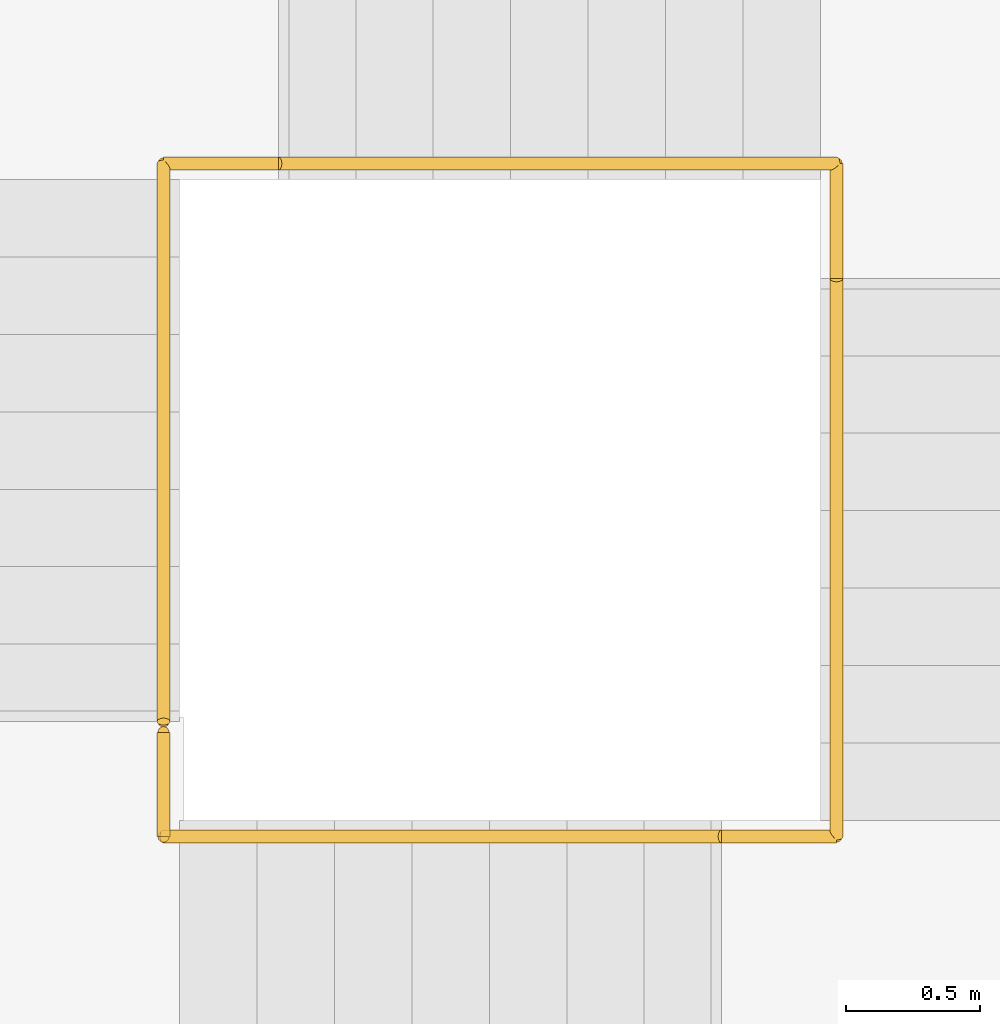
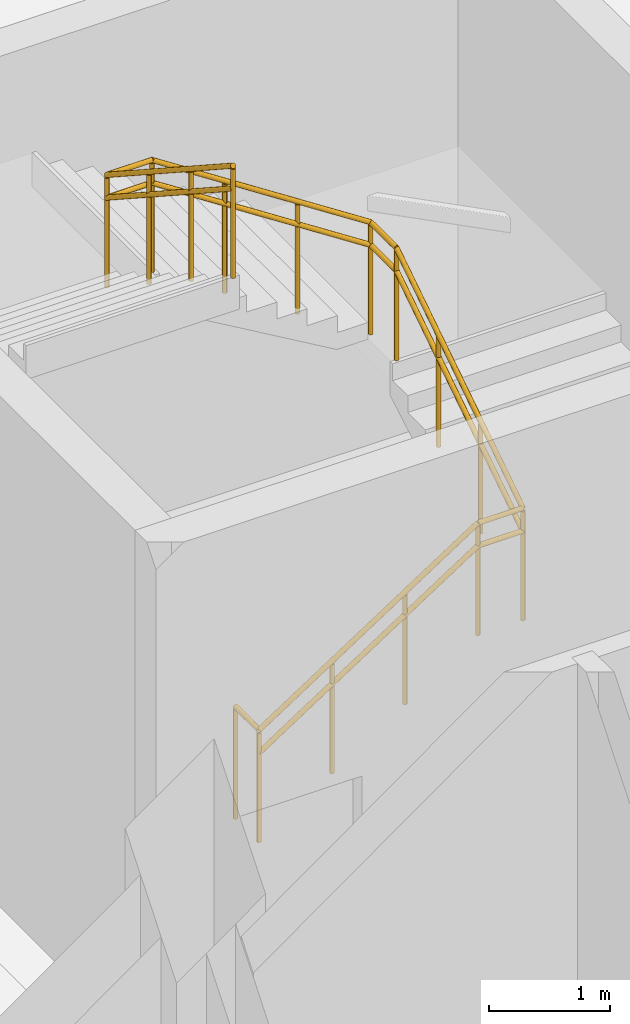
# One storey, part 71 of 72: 3 railings.
"""IFC4 building model written with IfcOpenShell, lengths in metres."""

import ifcopenshell
import ifcopenshell.guid

model = None  # the IFC model being written
_history = None  # IfcOwnerHistory: only IFC2X3 demands one
_inside = {}  # id of a spatial element -> (the spatial element, [elements in it])
_under = {}  # id of a project, library or spatial element -> (it, [spatial elements below it])
_declared = {}  # id of a project -> (the project, [libraries it declares])
_typed = {}  # id of a type object -> (the type object, [elements of that type])
_made_of = {}  # id of a material, layer set ... -> (it, [elements and type objects made of it])


def new_model(schema):
    """Start an empty IFC model of exactly this schema.

    Asked for "IFC4X3", IfcOpenShell would pick the latest addendum, in which some entities
    have other attributes; the version numbers below select the first issue.
    IFC2X3 requires an IfcOwnerHistory on every rooted entity: one is made here for all.
    """
    global model, _history
    if schema == "IFC4X3":
        model = ifcopenshell.file(schema_version=(4, 3, 0, 0))
    else:
        model = ifcopenshell.file(schema=schema)
    _inside.clear()
    _under.clear()
    _declared.clear()
    _typed.clear()
    _made_of.clear()
    _history = None
    if model.schema == "IFC2X3":
        org = make("IfcOrganization", Name="unknown")
        user = make(
            "IfcPersonAndOrganization",
            ThePerson=make("IfcPerson", FamilyName="unknown"),
            TheOrganization=org,
        )
        app = make(
            "IfcApplication",
            ApplicationDeveloper=org,
            Version="unknown",
            ApplicationFullName="unknown",
            ApplicationIdentifier="unknown",
        )
        _history = make(
            "IfcOwnerHistory",
            OwningUser=user,
            OwningApplication=app,
            ChangeAction="ADDED",
            CreationDate=0,
        )
    return model


def make(cls, **values):
    """One entity of the class cls with the attributes given. An attribute that is None is left unset."""
    return model.create_entity(
        cls, **{name: value for name, value in values.items() if value is not None}
    )


def rooted(cls, **values):
    """An entity with a GlobalId (a new one), such as an element, a storey or a relation."""
    return make(cls, GlobalId=ifcopenshell.guid.new(), OwnerHistory=_history, **values)


def si_unit(unit_type, name, prefix=None):
    """IfcSIUnit, for example si_unit("LENGTHUNIT", "METRE", prefix="MILLI")."""
    return make("IfcSIUnit", UnitType=unit_type, Prefix=prefix, Name=name)


def assignment(units):
    """IfcUnitAssignment: the units of a project."""
    return None if units is None else make("IfcUnitAssignment", Units=units)


def point(xyz):
    """IfcCartesianPoint."""
    return None if xyz is None else make("IfcCartesianPoint", Coordinates=xyz)


def direction(xyz):
    """IfcDirection."""
    return None if xyz is None else make("IfcDirection", DirectionRatios=xyz)


def frame(location, z_axis=None, x_axis=None):
    """IfcAxis2Placement3D, a coordinate frame: its origin and axes. An axis left out is left unset."""
    return make(
        "IfcAxis2Placement3D",
        Location=point(location),
        Axis=direction(z_axis),
        RefDirection=direction(x_axis),
    )


def frame_2d(location, x_axis=None):
    """IfcAxis2Placement2D, a coordinate frame in the plane: its origin and x axis."""
    return make(
        "IfcAxis2Placement2D", Location=point(location), RefDirection=direction(x_axis)
    )


def origin():
    """The frame at (0, 0, 0) with its axes left unset."""
    return frame((0.0, 0.0, 0.0))


def origin_2d():
    """The frame at (0, 0) in the plane with its x axis left unset."""
    return frame_2d((0.0, 0.0))


def place(relative_to, where):
    """IfcLocalPlacement: puts the frame where relative to a parent placement (None: the world)."""
    return make(
        "IfcLocalPlacement", PlacementRelTo=relative_to, RelativePlacement=where
    )


def context(
    kind, dimensions, precision=None, world=None, true_north=None, identifier=None
):
    """IfcGeometricRepresentationContext, for example the 3D "Model" context."""
    return make(
        "IfcGeometricRepresentationContext",
        ContextIdentifier=identifier,
        ContextType=kind,
        CoordinateSpaceDimension=dimensions,
        Precision=precision,
        WorldCoordinateSystem=world,
        TrueNorth=true_north,
    )


def subcontext(parent, identifier, kind, view, scale=None):
    """IfcGeometricRepresentationSubContext, for example "Body" below "Model"."""
    return make(
        "IfcGeometricRepresentationSubContext",
        ContextIdentifier=identifier,
        ContextType=kind,
        ParentContext=parent,
        TargetScale=scale,
        TargetView=view,
    )


def project(units=None, contexts=None):
    """IfcProject with its units and contexts."""
    return rooted(
        "IfcProject",
        Name="project",
        RepresentationContexts=contexts,
        UnitsInContext=assignment(units),
    )


def spatial(cls, under=None, at=None, **own):
    """A site, building, storey or space (cls), placed at a placement, below another one or the project."""
    s = rooted(cls, ObjectPlacement=at, **own)
    if under is not None:
        _under.setdefault(under.id(), (under, []))[1].append(s)
    return s


def profile(cls, at=None, kind="AREA", **sizes):
    """A parametric profile (cls). Its sizes go by their IFC names, for example OverallWidth=200.0."""
    return make(cls, ProfileType=kind, Position=at, **sizes)


def circle(**sizes):
    """IfcCircleProfileDef."""
    return profile("IfcCircleProfileDef", **sizes)


def extrude(swept, where, along, depth):
    """IfcExtrudedAreaSolid: the profile swept, set in the frame where, extruded along a direction by depth."""
    return make(
        "IfcExtrudedAreaSolid",
        SweptArea=swept,
        Position=where,
        ExtrudedDirection=direction(along),
        Depth=depth,
    )


def shape(context_of_items, identifier, shape_type, items):
    """IfcShapeRepresentation: the items that make up one representation, for example the "Body"."""
    return make(
        "IfcShapeRepresentation",
        ContextOfItems=context_of_items,
        RepresentationIdentifier=identifier,
        RepresentationType=shape_type,
        Items=items,
    )


def material(Name=None, Category=None):
    """IfcMaterial."""
    return make("IfcMaterial", Name=Name, Category=Category)


def made_of(thing, what):
    """Note that an element or type object is made of a material, layer set ...; save() writes the relation."""
    if what is not None:
        _made_of.setdefault(what.id(), (what, []))[1].append(thing)
    return thing


def type_object(cls, material=None, **own):
    """A type object (cls), such as IfcWallType, which elements share."""
    return made_of(rooted(cls, **own), material)


def element(
    cls,
    number,
    at=None,
    inside=None,
    cuts=None,
    type_object=None,
    material=None,
    context=None,
    identifier="Body",
    shape_type=None,
    held_by="IfcProductDefinitionShape",
    body=None,
    shapes=None,
    **own,
):
    """One element of the class cls, such as IfcWall. Its Tag is "e" and its number.

    at: its placement. inside: the storey or other place that contains it. cuts: it is an
    opening in that element (IfcRelVoidsElement). A single representation is given by context,
    identifier, shape_type and body (its items); several are given by shapes. held_by: the class
    of the entity that holds the representations. save() writes the other relations.
    """
    e = rooted(cls, Tag="e%d" % number, ObjectPlacement=at, **own)
    if body is not None:
        shapes = [shape(context, identifier, shape_type, body)]
    if shapes is not None:
        e.Representation = make(held_by, Representations=shapes)
    if inside is not None:
        _inside.setdefault(inside.id(), (inside, []))[1].append(e)
    if cuts is not None:
        rooted(
            "IfcRelVoidsElement", RelatingBuildingElement=cuts, RelatedOpeningElement=e
        )
    if type_object is not None:
        _typed.setdefault(type_object.id(), (type_object, []))[1].append(e)
    return made_of(e, material)


def aggregate(whole, parts):
    """IfcRelAggregates: a whole, such as a stair, and the parts it consists of."""
    return rooted("IfcRelAggregates", RelatingObject=whole, RelatedObjects=parts)


def save(model, path):
    """Write the relations noted so far, then the file.

    IfcRelAggregates (storeys below a building ...), IfcRelContainedInSpatialStructure (elements
    in a storey), IfcRelDefinesByType, IfcRelAssociatesMaterial and IfcRelDeclares: one each for
    every whole, place, type object, material and project.
    """
    for whole, parts in _under.values():
        aggregate(whole, parts)
    for where, things in _inside.values():
        rooted(
            "IfcRelContainedInSpatialStructure",
            RelatedElements=things,
            RelatingStructure=where,
        )
    for kind, things in _typed.values():
        rooted("IfcRelDefinesByType", RelatedObjects=things, RelatingType=kind)
    for what, things in _made_of.values():
        rooted("IfcRelAssociatesMaterial", RelatedObjects=things, RelatingMaterial=what)
    for by, libraries in _declared.values():
        rooted("IfcRelDeclares", RelatingContext=by, RelatedDefinitions=libraries)
    model.write(path)


model = new_model("IFC4")

# Units and contexts
model_context = context("Model", 3, precision=1e-05, world=origin(), true_north=direction((0.0, 1.0)))
body_context = subcontext(model_context, "Body", "Model", "MODEL_VIEW")
ifc_project = project(units=[si_unit("LENGTHUNIT", "METRE"), si_unit("AREAUNIT", "SQUARE_METRE"), si_unit("VOLUMEUNIT", "CUBIC_METRE"), si_unit("PLANEANGLEUNIT", "RADIAN"), si_unit("MASSUNIT", "GRAM", prefix="KILO")], contexts=[model_context])

# Site, building, storey
site_placement = place(None, origin())
site = spatial("IfcSite", under=ifc_project, at=site_placement, CompositionType="ELEMENT")
building_placement = place(site_placement, origin())
building = spatial("IfcBuilding", under=site, at=building_placement, Name="Sillaruma Civic Art Gallery", CompositionType="ELEMENT")
storey_placement = place(building_placement, frame((0.0, 0.0, 10.8798828125)))
storey = spatial("IfcBuildingStorey", under=building, at=storey_placement, Name="L02", CompositionType="ELEMENT", Elevation=10.8798828125)

# Railings
ifc_material = material(Name="Stainless Steel AISI 316", Category="steel")
railing_type_1 = type_object("IfcRailingType", Name="RAL-BAL-1150", PredefinedType="BALUSTRADE", material=ifc_material)
railing_1_placement = place(storey_placement, frame((64.739990234375, 82.889892578125, 0.0)))
element("IfcRailing", 1, at=railing_1_placement, inside=storey, type_object=railing_type_1, Name="Stair Floor Edge Guard (ST-02:L02)", PredefinedType="BALUSTRADE", context=body_context, shape_type="SweptSolid", body=[
    extrude(circle(Radius=0.02392578125, at=origin_2d()), frame((0.0, 0.0, 1.1259765625), z_axis=(0.0, 1.0, 0.0), x_axis=(-1.0, 0.0, 0.0)), (0.0, 0.0, 1.0), 0.39013671875),
    extrude(circle(Radius=0.02099609375, at=origin_2d()), origin(), (0.0, 0.0, 1.0), 1.101806640625),
    extrude(circle(Radius=0.02099609375, at=origin_2d()), frame((0.0, 0.39013671875, 0.0)), (0.0, 0.0, 1.0), 1.101806640625),
])
railing_2_placement = place(storey_placement, frame((64.739990234375, 82.889892578125, 0.0)))
element("IfcRailing", 2, at=railing_2_placement, inside=storey, type_object=railing_type_1, Name="Stair Well Balustrade (ST-02-L02)", PredefinedType="BALUSTRADE", context=body_context, shape_type="SweptSolid", body=[
    extrude(circle(Radius=0.02392578125, at=origin_2d()), frame((0.0, 0.0, 1.1259765625), z_axis=(0.838159424827, 0.0, 0.545425318971), x_axis=(0.0, 1.0, 0.0)), (0.0, 0.0, 1.0), 2.49365234375),
    extrude(circle(Radius=0.02392578125, at=origin_2d()), frame((2.090087890625, 0.0, 2.48583984375), z_axis=(1.0, 0.0, 0.0), x_axis=(0.0, 1.0, 0.0)), (0.0, 0.0, 1.0), 0.429931640625),
    extrude(circle(Radius=0.02392578125, at=origin_2d()), frame((2.52001953125, 0.0, 2.48583984375), z_axis=(0.0, 0.838159424827, 0.545425318971), x_axis=(-1.0, 0.0, 0.0)), (0.0, 0.0, 1.0), 2.49365234375),
    extrude(circle(Radius=0.02392578125, at=origin_2d()), frame((2.52001953125, 2.090087890625, 3.84619140625), z_axis=(0.0, 1.0, 0.0), x_axis=(-1.0, 0.0, 0.0)), (0.0, 0.0, 1.0), 0.429931640625),
    extrude(circle(Radius=0.02392578125, at=origin_2d()), frame((2.52001953125, 2.52001953125, 3.84619140625), z_axis=(-0.838204181713, 0.0, 0.545356534534), x_axis=(0.0, -1.0, 0.0)), (0.0, 0.0, 1.0), 2.49365234375),
    extrude(circle(Radius=0.02392578125, at=origin_2d()), frame((0.429931640625, 2.52001953125, 5.2060546875), z_axis=(-1.0, 0.0, 0.0), x_axis=(0.0, -1.0, 0.0)), (0.0, 0.0, 1.0), 0.429931640625),
    extrude(circle(Radius=0.02392578125, at=origin_2d()), frame((0.0, 2.52001953125, 5.2060546875), z_axis=(0.0, -0.838130295786, 0.545470079185), x_axis=(1.0, 0.0, 0.0)), (0.0, 0.0, 1.0), 2.493408203125),
    extrude(circle(Radius=0.02099609375, at=origin_2d()), origin(), (0.0, 0.0, 1.0), 1.101806640625),
    extrude(circle(Radius=0.02099609375, at=origin_2d()), frame((0.69677734375, 0.0, 0.453369140625)), (0.0, 0.0, 1.0), 1.101806640625),
    extrude(circle(Radius=0.02099609375, at=origin_2d()), frame((1.393310546875, 0.0, 0.90673828125)), (0.0, 0.0, 1.0), 1.101806640625),
    extrude(circle(Radius=0.02099609375, at=origin_2d()), frame((2.090087890625, 0.0, 1.360107421875)), (0.0, 0.0, 1.0), 1.101806640625),
    extrude(circle(Radius=0.02099609375, at=origin_2d()), frame((2.52001953125, 0.0, 1.360107421875)), (0.0, 0.0, 1.0), 1.101806640625),
    extrude(circle(Radius=0.02099609375, at=origin_2d()), frame((2.52001953125, 0.69677734375, 1.8134765625)), (0.0, 0.0, 1.0), 1.101806640625),
    extrude(circle(Radius=0.02099609375, at=origin_2d()), frame((2.52001953125, 1.393310546875, 2.266845703125)), (0.0, 0.0, 1.0), 1.101806640625),
    extrude(circle(Radius=0.02099609375, at=origin_2d()), frame((2.52001953125, 2.090087890625, 2.72021484375)), (0.0, 0.0, 1.0), 1.101806640625),
    extrude(circle(Radius=0.02099609375, at=origin_2d()), frame((2.52001953125, 2.52001953125, 2.72021484375)), (0.0, 0.0, 1.0), 1.101806640625),
    extrude(circle(Radius=0.02099609375, at=origin_2d()), frame((1.8232421875, 2.52001953125, 3.173583984375)), (0.0, 0.0, 1.0), 1.101806640625),
    extrude(circle(Radius=0.02099609375, at=origin_2d()), frame((1.126708984375, 2.52001953125, 3.626708984375)), (0.0, 0.0, 1.0), 1.101806640625),
    extrude(circle(Radius=0.02099609375, at=origin_2d()), frame((0.429931640625, 2.52001953125, 4.080078125)), (0.0, 0.0, 1.0), 1.101806640625),
    extrude(circle(Radius=0.02099609375, at=origin_2d()), frame((0.0, 2.52001953125, 4.080078125)), (0.0, 0.0, 1.0), 1.101806640625),
    extrude(circle(Radius=0.02099609375, at=origin_2d()), frame((0.0, 1.823486328125, 4.533447265625)), (0.0, 0.0, 1.0), 1.101806640625),
    extrude(circle(Radius=0.02099609375, at=origin_2d()), frame((0.0, 1.126708984375, 4.98681640625)), (0.0, 0.0, 1.0), 1.101806640625),
    extrude(circle(Radius=0.02099609375, at=origin_2d()), frame((0.0, 0.43017578125, 5.440185546875)), (0.0, 0.0, 1.0), 1.101806640625),
])
railing_type_2 = type_object("IfcRailingType", Name="RAL-HND-920", PredefinedType="HANDRAIL", material=ifc_material)
railing_3_placement = place(storey_placement, frame((64.739990234375, 82.889892578125, 0.0)))
element("IfcRailing", 3, at=railing_3_placement, inside=storey, type_object=railing_type_2, Name="Stair Continuous Handrail (ST-02-L02)", PredefinedType="HANDRAIL", context=body_context, shape_type="SweptSolid", body=[
    extrude(circle(Radius=0.02392578125, at=origin_2d()), frame((0.0, 0.0, 0.89599609375), z_axis=(0.838159424827, 0.0, 0.545425318971), x_axis=(0.0, 1.0, 0.0)), (0.0, 0.0, 1.0), 2.49365234375),
    extrude(circle(Radius=0.02392578125, at=origin_2d()), frame((2.090087890625, 0.0, 2.255859375), z_axis=(1.0, 0.0, 0.0), x_axis=(0.0, 1.0, 0.0)), (0.0, 0.0, 1.0), 0.429931640625),
    extrude(circle(Radius=0.02392578125, at=origin_2d()), frame((2.52001953125, 0.0, 2.255859375), z_axis=(0.0, 0.838159424827, 0.545425318971), x_axis=(-1.0, 0.0, 0.0)), (0.0, 0.0, 1.0), 2.49365234375),
    extrude(circle(Radius=0.02392578125, at=origin_2d()), frame((2.52001953125, 2.090087890625, 3.6162109375), z_axis=(0.0, 1.0, 0.0), x_axis=(-1.0, 0.0, 0.0)), (0.0, 0.0, 1.0), 0.429931640625),
    extrude(circle(Radius=0.02392578125, at=origin_2d()), frame((2.52001953125, 2.52001953125, 3.6162109375), z_axis=(-0.838204181713, 0.0, 0.545356534534), x_axis=(0.0, -1.0, 0.0)), (0.0, 0.0, 1.0), 2.49365234375),
    extrude(circle(Radius=0.02392578125, at=origin_2d()), frame((0.429931640625, 2.52001953125, 4.97607421875), z_axis=(-1.0, 0.0, 0.0), x_axis=(0.0, -1.0, 0.0)), (0.0, 0.0, 1.0), 0.429931640625),
    extrude(circle(Radius=0.02392578125, at=origin_2d()), frame((0.0, 2.52001953125, 4.97607421875), z_axis=(0.0, -0.838130295786, 0.545470079185), x_axis=(1.0, 0.0, 0.0)), (0.0, 0.0, 1.0), 2.493408203125),
    extrude(circle(Radius=0.02099609375, at=origin_2d()), origin(), (0.0, 0.0, 1.0), 0.871826171875),
    extrude(circle(Radius=0.02099609375, at=origin_2d()), frame((0.69677734375, 0.0, 0.453369140625)), (0.0, 0.0, 1.0), 0.871826171875),
    extrude(circle(Radius=0.02099609375, at=origin_2d()), frame((1.393310546875, 0.0, 0.90673828125)), (0.0, 0.0, 1.0), 0.871826171875),
    extrude(circle(Radius=0.02099609375, at=origin_2d()), frame((2.090087890625, 0.0, 1.360107421875)), (0.0, 0.0, 1.0), 0.871826171875),
    extrude(circle(Radius=0.02099609375, at=origin_2d()), frame((2.52001953125, 0.0, 1.360107421875)), (0.0, 0.0, 1.0), 0.871826171875),
    extrude(circle(Radius=0.02099609375, at=origin_2d()), frame((2.52001953125, 0.69677734375, 1.8134765625)), (0.0, 0.0, 1.0), 0.871826171875),
    extrude(circle(Radius=0.02099609375, at=origin_2d()), frame((2.52001953125, 1.393310546875, 2.266845703125)), (0.0, 0.0, 1.0), 0.871826171875),
    extrude(circle(Radius=0.02099609375, at=origin_2d()), frame((2.52001953125, 2.090087890625, 2.72021484375)), (0.0, 0.0, 1.0), 0.871826171875),
    extrude(circle(Radius=0.02099609375, at=origin_2d()), frame((2.52001953125, 2.52001953125, 2.72021484375)), (0.0, 0.0, 1.0), 0.871826171875),
    extrude(circle(Radius=0.02099609375, at=origin_2d()), frame((1.8232421875, 2.52001953125, 3.173583984375)), (0.0, 0.0, 1.0), 0.871826171875),
    extrude(circle(Radius=0.02099609375, at=origin_2d()), frame((1.126708984375, 2.52001953125, 3.626708984375)), (0.0, 0.0, 1.0), 0.871826171875),
    extrude(circle(Radius=0.02099609375, at=origin_2d()), frame((0.429931640625, 2.52001953125, 4.080078125)), (0.0, 0.0, 1.0), 0.871826171875),
    extrude(circle(Radius=0.02099609375, at=origin_2d()), frame((0.0, 2.52001953125, 4.080078125)), (0.0, 0.0, 1.0), 0.871826171875),
    extrude(circle(Radius=0.02099609375, at=origin_2d()), frame((0.0, 1.823486328125, 4.533447265625)), (0.0, 0.0, 1.0), 0.871826171875),
    extrude(circle(Radius=0.02099609375, at=origin_2d()), frame((0.0, 1.126708984375, 4.98681640625)), (0.0, 0.0, 1.0), 0.871826171875),
    extrude(circle(Radius=0.02099609375, at=origin_2d()), frame((0.0, 0.43017578125, 5.440185546875)), (0.0, 0.0, 1.0), 0.871826171875),
])

save(model, "model.ifc")
